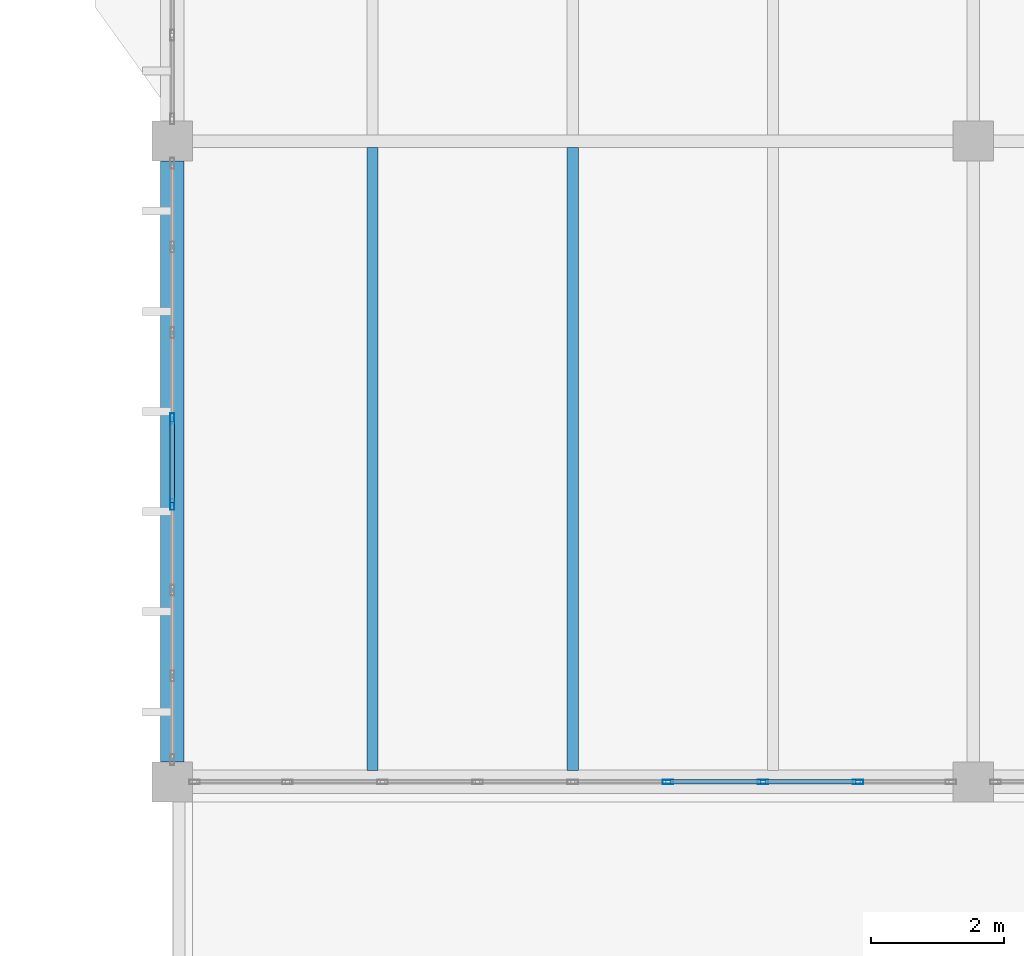
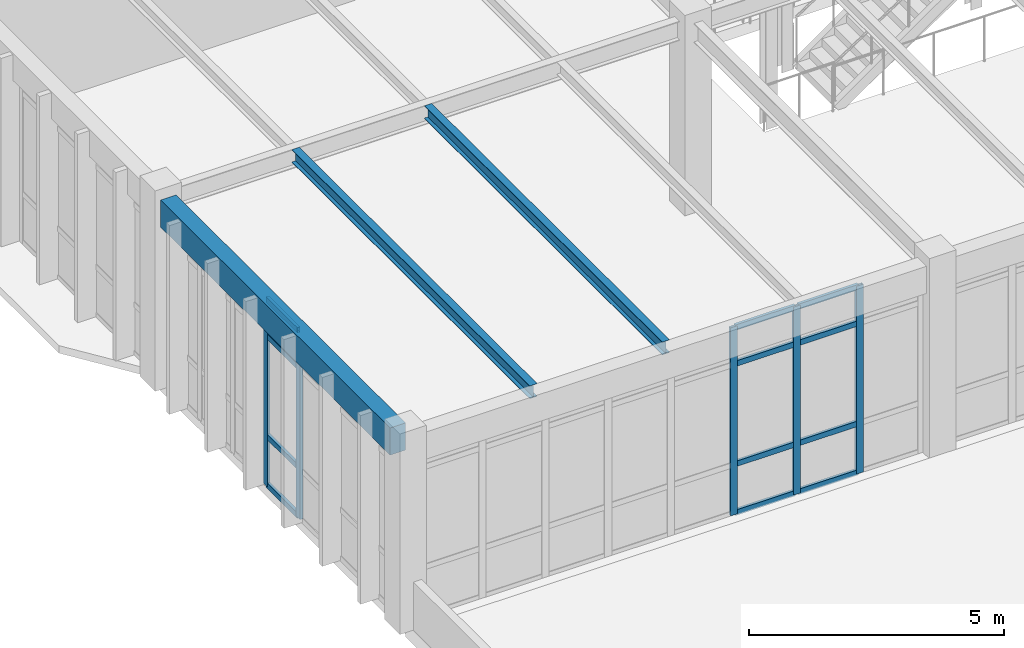
# One storey, part 114 of 236: 17 members, 3 beams, 2 elements without a shape of their own.
"""IFC4 building model written with IfcOpenShell, lengths in metres."""

from ifc_helpers import new_model, si_unit, direction, frame, origin, origin_2d, place, context, subcontext, project, spatial, rectangle, hollow_rectangle, i_section, extrude, material, layer, layer_set, material_profile, profile_set, type_object, element, aggregate, save


model = new_model("IFC4")

# Units and contexts
model_context = context("Model", 3, precision=1e-05, world=origin(), true_north=direction((0.0, 1.0)))
body_context = subcontext(model_context, "Body", "Model", "MODEL_VIEW")
ifc_project = project(units=[si_unit("LENGTHUNIT", "METRE"), si_unit("AREAUNIT", "SQUARE_METRE"), si_unit("VOLUMEUNIT", "CUBIC_METRE"), si_unit("PLANEANGLEUNIT", "RADIAN"), si_unit("MASSUNIT", "GRAM", prefix="KILO")], contexts=[model_context])

# Site, building, storey
site_placement = place(None, origin())
site = spatial("IfcSite", under=ifc_project, at=site_placement, CompositionType="ELEMENT")
building_placement = place(site_placement, origin())
building = spatial("IfcBuilding", under=site, at=building_placement, Name="Pandanus Reach Market Hall", CompositionType="ELEMENT")
storey_placement = place(building_placement, frame((0.0, 0.0, 5.39990234375)))
storey = spatial("IfcBuildingStorey", under=building, at=storey_placement, Name="L01", CompositionType="ELEMENT", Elevation=5.39990234375)

# Beam
ifc_material_1 = material(Name="Concrete N40 (40 MPa)", Category="concrete")
ifc_material_profile_1 = material_profile(ifc_material_1, rectangle(XDim=0.35009765625, YDim=0.64990234375, at=origin_2d()), Name="RC350x650", Category="LoadBearing")
ifc_profile_set_1 = profile_set([ifc_material_profile_1], Name="Concrete N40 (40 MPa)")
beam_type_1 = type_object("IfcBeamType", Name="BM-RC350-E", PredefinedType="SPANDREL", material=ifc_profile_set_1)
beam_placement = place(storey_placement, frame((144.0, 9.89794921875, 4.215087890625), z_axis=(0.0, 1.0, 0.0), x_axis=(-1.0, 0.0, 0.0)))
element("IfcBeam", 1, at=beam_placement, inside=storey, type_object=beam_type_1, Name="Framing beam BM-RC350-E L01.336", PredefinedType="SPANDREL", context=body_context, shape_type="SweptSolid", body=[
    extrude(rectangle(XDim=0.35009765625, YDim=0.64990234375, at=origin_2d()), origin(), (0.0, 0.0, 1.0), 9.004150390625),
])

# Curtain wall, members
ifc_material_2 = material(Name="Bronze anodised aluminium and low-E glass", Category="aluminium")
ifc_layer_1 = layer(ifc_material_2, 0.159912109375, Name="CW-27")
ifc_layer_set_1 = layer_set([ifc_layer_1], Name="Bronze anodised aluminium and low-E glass")
curtain_wall_type_1 = type_object("IfcCurtainWallType", Name="CW-27", PredefinedType="NOTDEFINED", material=ifc_layer_set_1)
curtain_wall_1_placement = place(storey_placement, origin())
curtain_wall_1 = element("IfcCurtainWall", 2, at=curtain_wall_1_placement, inside=storey, type_object=curtain_wall_type_1, Name="Glazed curtain wall CW-27 CW-0082", PredefinedType="NOTDEFINED")
ifc_material_3 = material(Name="Bronze anodised aluminium", Category="aluminium")
ifc_material_profile_2 = material_profile(ifc_material_3, hollow_rectangle(XDim=0.06494140625, YDim=0.159912109375, WallThickness=0.00390625, at=origin_2d()), Name="ALU65x160", Category="LoadBearing")
ifc_profile_set_2 = profile_set([ifc_material_profile_2], Name="Bronze anodised aluminium")
member_type_1 = type_object("IfcMemberType", Name="CW-M1", PredefinedType="MULLION", material=ifc_profile_set_2)
member_1_placement = place(storey_placement, frame((151.425048828125, 9.60009765625, 0.0), z_axis=(0.0, 0.0, 1.0), x_axis=(0.0, 1.0, 0.0)))
member_1 = element("IfcMember", 3, at=member_1_placement, type_object=member_type_1, Name="CW-27 mullion 6", PredefinedType="MULLION", context=body_context, shape_type="SweptSolid", body=[
    extrude(hollow_rectangle(XDim=0.06494140625, YDim=0.159912109375, WallThickness=0.00390625, at=origin_2d()), origin(), (0.0, 0.0, 1.0), 4.5),
])
member_2_placement = place(storey_placement, frame((152.85009765625, 9.60009765625, 0.0), z_axis=(0.0, 0.0, 1.0), x_axis=(0.0, 1.0, 0.0)))
member_2 = element("IfcMember", 4, at=member_2_placement, type_object=member_type_1, Name="CW-27 mullion 7", PredefinedType="MULLION", context=body_context, shape_type="SweptSolid", body=[
    extrude(hollow_rectangle(XDim=0.06494140625, YDim=0.159912109375, WallThickness=0.00390625, at=origin_2d()), origin(), (0.0, 0.0, 1.0), 4.5),
])
member_3_placement = place(storey_placement, frame((154.27490234375, 9.60009765625, 0.0), z_axis=(0.0, 0.0, 1.0), x_axis=(0.0, 1.0, 0.0)))
member_3 = element("IfcMember", 5, at=member_3_placement, type_object=member_type_1, Name="CW-27 mullion 8", PredefinedType="MULLION", context=body_context, shape_type="SweptSolid", body=[
    extrude(hollow_rectangle(XDim=0.06494140625, YDim=0.159912109375, WallThickness=0.00390625, at=origin_2d()), origin(), (0.0, 0.0, 1.0), 4.5),
])

ifc_layer_2 = layer(ifc_material_2, 0.159912109375, Name="CW-29")
ifc_layer_set_2 = layer_set([ifc_layer_2], Name="Bronze anodised aluminium and low-E glass")
curtain_wall_type_2 = type_object("IfcCurtainWallType", Name="CW-29", PredefinedType="NOTDEFINED", material=ifc_layer_set_2)
curtain_wall_2_placement = place(storey_placement, origin())
curtain_wall_2 = element("IfcCurtainWall", 6, at=curtain_wall_2_placement, inside=storey, type_object=curtain_wall_type_2, Name="Glazed curtain wall CW-29 CW-0091", PredefinedType="NOTDEFINED")
member_4_placement = place(storey_placement, frame((144.0, 13.757080078125, 0.0), z_axis=(0.0, 0.0, 1.0), x_axis=(-1.0, 0.0, 0.0)))
member_4 = element("IfcMember", 7, at=member_4_placement, type_object=member_type_1, Name="CW-29 mullion 4", PredefinedType="MULLION", context=body_context, shape_type="SweptSolid", body=[
    extrude(hollow_rectangle(XDim=0.06494140625, YDim=0.159912109375, WallThickness=0.00390625, at=origin_2d()), origin(), (0.0, 0.0, 1.0), 4.5),
])
member_5_placement = place(storey_placement, frame((144.0, 15.04296875, 0.0), z_axis=(0.0, 0.0, 1.0), x_axis=(-1.0, 0.0, 0.0)))
member_5 = element("IfcMember", 8, at=member_5_placement, type_object=member_type_1, Name="CW-29 mullion 5", PredefinedType="MULLION", context=body_context, shape_type="SweptSolid", body=[
    extrude(hollow_rectangle(XDim=0.06494140625, YDim=0.159912109375, WallThickness=0.00390625, at=origin_2d()), origin(), (0.0, 0.0, 1.0), 4.5),
])

# Member
ifc_material_profile_3 = material_profile(ifc_material_3, hollow_rectangle(XDim=0.06494140625, YDim=0.1298828125, WallThickness=0.00390625, at=origin_2d()), Name="ALU65x130", Category="LoadBearing")
ifc_profile_set_3 = profile_set([ifc_material_profile_3], Name="Bronze anodised aluminium")
member_type_2 = type_object("IfcMemberType", Name="CW-T1", PredefinedType="USERDEFINED", material=ifc_profile_set_3)
member_6_placement = place(storey_placement, frame((151.45751953125, 9.60009765625, 0.03271484375), z_axis=(1.0, 0.0, 0.0), x_axis=(0.0, 1.0, 0.0)))
member_6 = element("IfcMember", 9, at=member_6_placement, type_object=member_type_2, Name="CW-27 transom 6.1", ObjectType="TRANSOM", PredefinedType="USERDEFINED", context=body_context, shape_type="SweptSolid", body=[
    extrude(hollow_rectangle(XDim=0.06494140625, YDim=0.1298828125, WallThickness=0.00390625, at=origin_2d()), origin(), (0.0, 0.0, 1.0), 1.35986328125),
])

member_7_placement = place(storey_placement, frame((151.45751953125, 9.60009765625, 1.2001953125), z_axis=(1.0, 0.0, 0.0), x_axis=(0.0, 1.0, 0.0)))
member_7 = element("IfcMember", 10, at=member_7_placement, type_object=member_type_2, Name="CW-27 transom 6.2", ObjectType="TRANSOM", PredefinedType="USERDEFINED", context=body_context, shape_type="SweptSolid", body=[
    extrude(hollow_rectangle(XDim=0.06494140625, YDim=0.1298828125, WallThickness=0.00390625, at=origin_2d()), origin(), (0.0, 0.0, 1.0), 1.35986328125),
])

member_8_placement = place(storey_placement, frame((151.45751953125, 9.60009765625, 3.60009765625), z_axis=(1.0, 0.0, 0.0), x_axis=(0.0, 1.0, 0.0)))
member_8 = element("IfcMember", 11, at=member_8_placement, type_object=member_type_2, Name="CW-27 transom 6.3", ObjectType="TRANSOM", PredefinedType="USERDEFINED", context=body_context, shape_type="SweptSolid", body=[
    extrude(hollow_rectangle(XDim=0.06494140625, YDim=0.1298828125, WallThickness=0.00390625, at=origin_2d()), origin(), (0.0, 0.0, 1.0), 1.35986328125),
])

member_9_placement = place(storey_placement, frame((151.45751953125, 9.60009765625, 4.467529296875), z_axis=(1.0, 0.0, 0.0), x_axis=(0.0, 1.0, 0.0)))
member_9 = element("IfcMember", 12, at=member_9_placement, type_object=member_type_2, Name="CW-27 transom 6.4", ObjectType="TRANSOM", PredefinedType="USERDEFINED", context=body_context, shape_type="SweptSolid", body=[
    extrude(hollow_rectangle(XDim=0.06494140625, YDim=0.1298828125, WallThickness=0.00390625, at=origin_2d()), origin(), (0.0, 0.0, 1.0), 1.35986328125),
])

member_10_placement = place(storey_placement, frame((152.882568359375, 9.60009765625, 0.03271484375), z_axis=(1.0, 0.0, 0.0), x_axis=(0.0, 1.0, 0.0)))
member_10 = element("IfcMember", 13, at=member_10_placement, type_object=member_type_2, Name="CW-27 transom 7.1", ObjectType="TRANSOM", PredefinedType="USERDEFINED", context=body_context, shape_type="SweptSolid", body=[
    extrude(hollow_rectangle(XDim=0.06494140625, YDim=0.1298828125, WallThickness=0.00390625, at=origin_2d()), origin(), (0.0, 0.0, 1.0), 1.35986328125),
])

member_11_placement = place(storey_placement, frame((152.882568359375, 9.60009765625, 1.2001953125), z_axis=(1.0, 0.0, 0.0), x_axis=(0.0, 1.0, 0.0)))
member_11 = element("IfcMember", 14, at=member_11_placement, type_object=member_type_2, Name="CW-27 transom 7.2", ObjectType="TRANSOM", PredefinedType="USERDEFINED", context=body_context, shape_type="SweptSolid", body=[
    extrude(hollow_rectangle(XDim=0.06494140625, YDim=0.1298828125, WallThickness=0.00390625, at=origin_2d()), origin(), (0.0, 0.0, 1.0), 1.35986328125),
])

member_12_placement = place(storey_placement, frame((152.882568359375, 9.60009765625, 3.60009765625), z_axis=(1.0, 0.0, 0.0), x_axis=(0.0, 1.0, 0.0)))
member_12 = element("IfcMember", 15, at=member_12_placement, type_object=member_type_2, Name="CW-27 transom 7.3", ObjectType="TRANSOM", PredefinedType="USERDEFINED", context=body_context, shape_type="SweptSolid", body=[
    extrude(hollow_rectangle(XDim=0.06494140625, YDim=0.1298828125, WallThickness=0.00390625, at=origin_2d()), origin(), (0.0, 0.0, 1.0), 1.35986328125),
])

member_13_placement = place(storey_placement, frame((152.882568359375, 9.60009765625, 4.467529296875), z_axis=(1.0, 0.0, 0.0), x_axis=(0.0, 1.0, 0.0)))
member_13 = element("IfcMember", 16, at=member_13_placement, type_object=member_type_2, Name="CW-27 transom 7.4", ObjectType="TRANSOM", PredefinedType="USERDEFINED", context=body_context, shape_type="SweptSolid", body=[
    extrude(hollow_rectangle(XDim=0.06494140625, YDim=0.1298828125, WallThickness=0.00390625, at=origin_2d()), origin(), (0.0, 0.0, 1.0), 1.35986328125),
])

aggregate(curtain_wall_1, [member_1, member_2, member_3, member_6, member_7, member_8, member_9, member_10, member_11, member_12, member_13])

member_14_placement = place(storey_placement, frame((144.0, 13.78955078125, 0.03271484375), z_axis=(0.0, 1.0, 0.0), x_axis=(-1.0, 0.0, 0.0)))
member_14 = element("IfcMember", 17, at=member_14_placement, type_object=member_type_2, Name="CW-29 transom 4.1", ObjectType="TRANSOM", PredefinedType="USERDEFINED", context=body_context, shape_type="SweptSolid", body=[
    extrude(hollow_rectangle(XDim=0.06494140625, YDim=0.1298828125, WallThickness=0.00390625, at=origin_2d()), origin(), (0.0, 0.0, 1.0), 1.220703125),
])

member_15_placement = place(storey_placement, frame((144.0, 13.78955078125, 1.2001953125), z_axis=(0.0, 1.0, 0.0), x_axis=(-1.0, 0.0, 0.0)))
member_15 = element("IfcMember", 18, at=member_15_placement, type_object=member_type_2, Name="CW-29 transom 4.2", ObjectType="TRANSOM", PredefinedType="USERDEFINED", context=body_context, shape_type="SweptSolid", body=[
    extrude(hollow_rectangle(XDim=0.06494140625, YDim=0.1298828125, WallThickness=0.00390625, at=origin_2d()), origin(), (0.0, 0.0, 1.0), 1.220703125),
])

member_16_placement = place(storey_placement, frame((144.0, 13.78955078125, 3.60009765625), z_axis=(0.0, 1.0, 0.0), x_axis=(-1.0, 0.0, 0.0)))
member_16 = element("IfcMember", 19, at=member_16_placement, type_object=member_type_2, Name="CW-29 transom 4.3", ObjectType="TRANSOM", PredefinedType="USERDEFINED", context=body_context, shape_type="SweptSolid", body=[
    extrude(hollow_rectangle(XDim=0.06494140625, YDim=0.1298828125, WallThickness=0.00390625, at=origin_2d()), origin(), (0.0, 0.0, 1.0), 1.220703125),
])

member_17_placement = place(storey_placement, frame((144.0, 13.78955078125, 4.467529296875), z_axis=(0.0, 1.0, 0.0), x_axis=(-1.0, 0.0, 0.0)))
member_17 = element("IfcMember", 20, at=member_17_placement, type_object=member_type_2, Name="CW-29 transom 4.4", ObjectType="TRANSOM", PredefinedType="USERDEFINED", context=body_context, shape_type="SweptSolid", body=[
    extrude(hollow_rectangle(XDim=0.06494140625, YDim=0.1298828125, WallThickness=0.00390625, at=origin_2d()), origin(), (0.0, 0.0, 1.0), 1.220703125),
])

aggregate(curtain_wall_2, [member_4, member_5, member_14, member_15, member_16, member_17])

# Beams
ifc_material_4 = material(Name="Steel Grade 350 (350 MPa)", Category="steel")
ifc_material_profile_4 = material_profile(ifc_material_4, i_section(OverallWidth=0.166015625, OverallDepth=0.306884765625, WebThickness=0.006591796875, FlangeThickness=0.01171875, at=origin_2d()), Name="310UB46.2", Category="LoadBearing")
ifc_profile_set_4 = profile_set([ifc_material_profile_4], Name="Steel Grade 350 (350 MPa)")
beam_type_2 = type_object("IfcBeamType", Name="JS-UB310H-I", PredefinedType="JOIST", material=ifc_profile_set_4)
for number, where, z_axis, x_axis, name in (
    (21, (147.0, 9.77294921875, 4.38623046875), (0.0, 1.0, 0.0), (-1.0, 0.0, 0.0), "Secondary joist JS-UB310H-I L01.372"),
    (22, (150.0, 9.77294921875, 4.38623046875), (0.0, 1.0, 0.0), (-1.0, 0.0, 0.0), "Secondary joist JS-UB310H-I L01.373"),
):
    element("IfcBeam", number, at=place(storey_placement, frame(where, z_axis=z_axis, x_axis=x_axis)), inside=storey, type_object=beam_type_2, Name=name, PredefinedType="JOIST", context=body_context, shape_type="SweptSolid", body=[
        extrude(i_section(OverallWidth=0.166015625, OverallDepth=0.306884765625, WebThickness=0.006591796875, FlangeThickness=0.01171875, at=origin_2d()), origin(), (0.0, 0.0, 1.0), 9.333984375),
    ])

save(model, "model.ifc")
